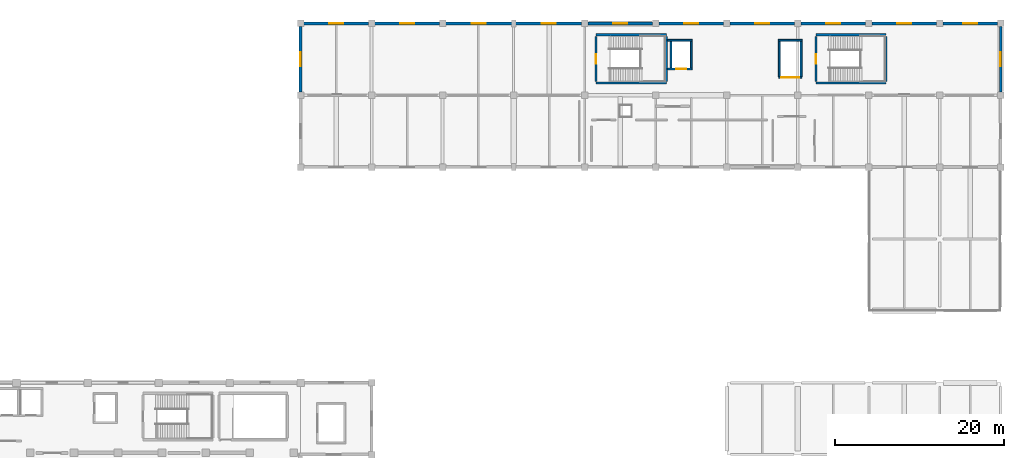
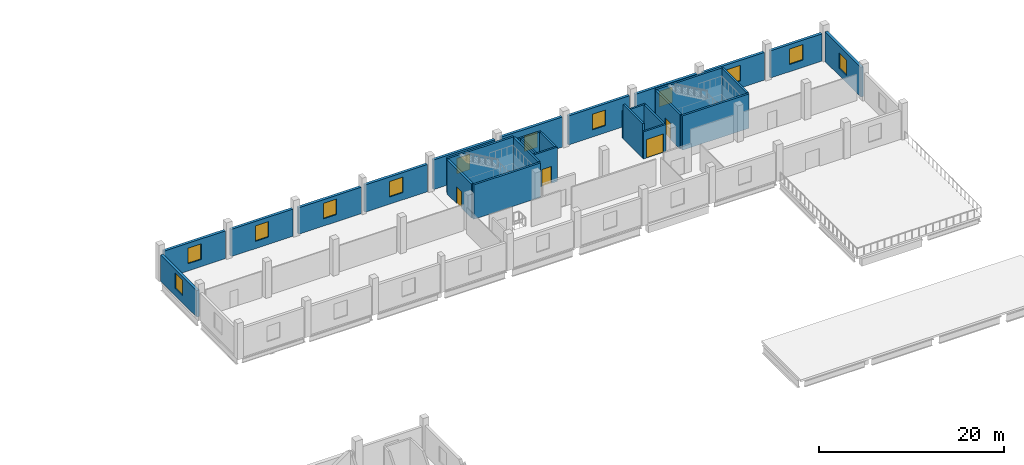
# One storey, part 107 of 117: 28 walls, 12 windows, 4 doors, 16 openings.
"""IFC4 building model written with IfcOpenShell, lengths in metres."""

from ifc_helpers import new_model, si_unit, direction, frame, frame_2d, origin, place, context, subcontext, project, spatial, rectangle, extrude, material, layer, layer_set, type_object, element, fill, save


model = new_model("IFC4")

# Units and contexts
model_context = context("Model", 3, precision=1e-05, world=origin(), true_north=direction((0.0, 1.0)))
body_context = subcontext(model_context, "Body", "Model", "MODEL_VIEW")
ifc_project = project(units=[si_unit("LENGTHUNIT", "METRE"), si_unit("AREAUNIT", "SQUARE_METRE"), si_unit("VOLUMEUNIT", "CUBIC_METRE"), si_unit("PLANEANGLEUNIT", "RADIAN"), si_unit("MASSUNIT", "GRAM", prefix="KILO")], contexts=[model_context])

# Site, building, storey
site_placement = place(None, origin())
site = spatial("IfcSite", under=ifc_project, at=site_placement, CompositionType="ELEMENT")
building_placement = place(site_placement, origin())
building = spatial("IfcBuilding", under=site, at=building_placement, Name="Solvento Point Concert Hall", CompositionType="ELEMENT")
storey_placement = place(building_placement, frame((0.0, 0.0, 5.39990234375)))
storey = spatial("IfcBuildingStorey", under=building, at=storey_placement, Name="L01", CompositionType="ELEMENT", Elevation=5.39990234375)

# Walls
ifc_material_1 = material(Name="Concrete C40/50", Category="concrete")
ifc_layer_1 = layer(ifc_material_1, 0.300048828125)
ifc_layer_set_1 = layer_set([ifc_layer_1], Name="Concrete C40/50")
wall_type_1 = type_object("IfcWallType", Name="CoreShearWall_300", PredefinedType="SHEAR", material=ifc_layer_set_1)
for number, where, z_axis, x_axis, name in (
    (1, (176.449951171875, 128.949951171875, 0.0), (0.0, 0.0, 1.0), (-1.0, 0.0, 0.0), "Stair core shear wall W-SH1 ST-01 L01"),
    (2, (168.14990234375, 134.64990234375, 0.0), (0.0, 0.0, 1.0), (1.0, 0.0, 0.0), "Stair core shear wall W-SH1 ST-01 L01"),
):
    element("IfcWall", number, at=place(storey_placement, frame(where, z_axis=z_axis, x_axis=x_axis)), inside=storey, type_object=wall_type_1, Name=name, PredefinedType="SHEAR", context=body_context, shape_type="SweptSolid", body=[
        extrude(rectangle(XDim=8.300048828125, YDim=0.25, at=frame_2d((4.14990234375, 0.0))), origin(), (0.0, 0.0, 1.0), 4.530029296875),
    ])

# Wall, opening, door
wall_1_placement = place(storey_placement, frame((168.14990234375, 129.14990234375, 0.0), z_axis=(0.0, 0.0, 1.0), x_axis=(0.0, 1.0, 0.0)))
wall_1 = element("IfcWall", 3, at=wall_1_placement, inside=storey, type_object=wall_type_1, Name="Stair core shear wall W-SH1 ST-01 L01", PredefinedType="SHEAR", context=body_context, shape_type="SweptSolid", body=[
    extrude(rectangle(XDim=5.300048828125, YDim=0.25, at=frame_2d((2.64990234375, 0.0))), origin(), (0.0, 0.0, 1.0), 4.530029296875),
])
opening_1_placement = place(wall_1_placement, frame((2.074951171875, 0.0, 0.0)))
opening_1 = element("IfcOpeningElement", 4, at=opening_1_placement, cuts=wall_1, Name="Opening D-ST1", PredefinedType="OPENING", context=body_context, shape_type="SweptSolid", body=[
    extrude(rectangle(XDim=1.14990234375, YDim=2.179931640625, at=frame_2d((0.574951171875, 1.08984375))), frame((0.0, 0.135009765625, 0.0), z_axis=(0.0, -1.0, 0.0), x_axis=(1.0, 0.0, 0.0)), (0.0, 0.0, 1.0), 0.27001953125),
])
ifc_material_2 = material(Name="Hollow Metal Acoustic Fire Door")
door_type_1 = type_object("IfcDoorType", Name="StairFireDoor_1150", OperationType="NOTDEFINED", PredefinedType="DOOR", material=ifc_material_2)
door_1_placement = place(opening_1_placement, origin())
door_1 = element("IfcDoor", 5, at=door_1_placement, inside=storey, type_object=door_type_1, Name="Protected exit stair door ST-01 L01", OperationType="SINGLE_SWING_LEFT", OverallHeight=2.179931640625, OverallWidth=1.14990234375, PredefinedType="DOOR", context=body_context, shape_type="SweptSolid", body=[
    extrude(rectangle(XDim=1.14990234375, YDim=2.179931640625, at=frame_2d((0.574951171875, 1.08984375))), frame((0.0, 0.02490234375, 0.0), z_axis=(0.0, -1.0, 0.0), x_axis=(1.0, 0.0, 0.0)), (0.0, 0.0, 1.0), 0.050048828125),
])
fill(opening_1, door_1)

# Walls
wall_2_placement = place(storey_placement, frame((176.449951171875, 134.449951171875, 0.0), z_axis=(0.0, 0.0, 1.0), x_axis=(0.0, -1.0, 0.0)))
element("IfcWall", 6, at=wall_2_placement, inside=storey, type_object=wall_type_1, Name="Stair core shear wall W-SH1 ST-01 L01", PredefinedType="SHEAR", context=body_context, shape_type="SweptSolid", body=[
    extrude(rectangle(XDim=5.300048828125, YDim=0.25, at=frame_2d((2.64990234375, 0.0))), origin(), (0.0, 0.0, 1.0), 4.530029296875),
])
for number, where, z_axis, x_axis, name in (
    (7, (202.449951171875, 128.949951171875, 0.0), (0.0, 0.0, 1.0), (-1.0, 0.0, 0.0), "Stair core shear wall W-SH1 ST-02 L01"),
    (8, (194.14990234375, 134.64990234375, 0.0), (0.0, 0.0, 1.0), (1.0, 0.0, 0.0), "Stair core shear wall W-SH1 ST-02 L01"),
):
    element("IfcWall", number, at=place(storey_placement, frame(where, z_axis=z_axis, x_axis=x_axis)), inside=storey, type_object=wall_type_1, Name=name, PredefinedType="SHEAR", context=body_context, shape_type="SweptSolid", body=[
        extrude(rectangle(XDim=8.300048828125, YDim=0.25, at=frame_2d((4.14990234375, 0.0))), origin(), (0.0, 0.0, 1.0), 4.530029296875),
    ])

# Wall, opening, door
wall_3_placement = place(storey_placement, frame((194.14990234375, 129.14990234375, 0.0), z_axis=(0.0, 0.0, 1.0), x_axis=(0.0, 1.0, 0.0)))
wall_3 = element("IfcWall", 9, at=wall_3_placement, inside=storey, type_object=wall_type_1, Name="Stair core shear wall W-SH1 ST-02 L01", PredefinedType="SHEAR", context=body_context, shape_type="SweptSolid", body=[
    extrude(rectangle(XDim=5.300048828125, YDim=0.25, at=frame_2d((2.64990234375, 0.0))), origin(), (0.0, 0.0, 1.0), 4.530029296875),
])
opening_2_placement = place(wall_3_placement, frame((2.074951171875, 0.0, 0.0)))
opening_2 = element("IfcOpeningElement", 10, at=opening_2_placement, cuts=wall_3, Name="Opening D-ST1", PredefinedType="OPENING", context=body_context, shape_type="SweptSolid", body=[
    extrude(rectangle(XDim=1.14990234375, YDim=2.179931640625, at=frame_2d((0.574951171875, 1.08984375))), frame((0.0, 0.135009765625, 0.0), z_axis=(0.0, -1.0, 0.0), x_axis=(1.0, 0.0, 0.0)), (0.0, 0.0, 1.0), 0.27001953125),
])
door_2_placement = place(opening_2_placement, origin())
door_2 = element("IfcDoor", 11, at=door_2_placement, inside=storey, type_object=door_type_1, Name="Protected exit stair door ST-02 L01", OperationType="SINGLE_SWING_RIGHT", OverallHeight=2.179931640625, OverallWidth=1.14990234375, PredefinedType="DOOR", context=body_context, shape_type="SweptSolid", body=[
    extrude(rectangle(XDim=1.14990234375, YDim=2.179931640625, at=frame_2d((0.574951171875, 1.08984375))), frame((0.0, 0.02490234375, 0.0), z_axis=(0.0, -1.0, 0.0), x_axis=(1.0, 0.0, 0.0)), (0.0, 0.0, 1.0), 0.050048828125),
])
fill(opening_2, door_2)

# Wall
wall_4_placement = place(storey_placement, frame((202.449951171875, 134.449951171875, 0.0), z_axis=(0.0, 0.0, 1.0), x_axis=(0.0, -1.0, 0.0)))
element("IfcWall", 12, at=wall_4_placement, inside=storey, type_object=wall_type_1, Name="Stair core shear wall W-SH1 ST-02 L01", PredefinedType="SHEAR", context=body_context, shape_type="SweptSolid", body=[
    extrude(rectangle(XDim=5.300048828125, YDim=0.25, at=frame_2d((2.64990234375, 0.0))), origin(), (0.0, 0.0, 1.0), 4.530029296875),
])

# Wall, opening, door
wall_5_placement = place(storey_placement, frame((176.574951171875, 130.60009765625, 0.0), z_axis=(0.0, 0.0, 1.0), x_axis=(1.0, 0.0, 0.0)))
wall_5 = element("IfcWall", 13, at=wall_5_placement, inside=storey, type_object=wall_type_1, Name="Elevator shaft shear wall W-SH1 LF-01 L01", PredefinedType="SHEAR", context=body_context, shape_type="SweptSolid", body=[
    extrude(rectangle(XDim=2.93505859375, YDim=0.219970703125, at=frame_2d((1.467529296875, 0.0))), origin(), (0.0, 0.0, 1.0), 4.530029296875),
])
opening_3_placement = place(wall_5_placement, frame((1.02490234375, 0.0, 0.0)))
opening_3 = element("IfcOpeningElement", 14, at=opening_3_placement, cuts=wall_5, Name="Opening LD-01", PredefinedType="OPENING", context=body_context, shape_type="SweptSolid", body=[
    extrude(rectangle(XDim=1.199951171875, YDim=2.25, at=frame_2d((0.60009765625, 1.125))), frame((0.0, 0.119873046875, 0.0), z_axis=(0.0, -1.0, 0.0), x_axis=(1.0, 0.0, 0.0)), (0.0, 0.0, 1.0), 0.239990234375),
])
ifc_material_3 = material(Name="Hollow Metal Acoustic Fire Door")
door_type_2 = type_object("IfcDoorType", Name="LiftLandingDoor_FF", OperationType="SLIDING_TO_LEFT", PredefinedType="DOOR", material=ifc_material_3)
door_3_placement = place(opening_3_placement, origin())
door_3 = element("IfcDoor", 15, at=door_3_placement, inside=storey, type_object=door_type_2, Name="Elevator landing door LF-01 L01", OperationType="SLIDING_TO_LEFT", OverallHeight=2.25, OverallWidth=1.199951171875, PredefinedType="DOOR", context=body_context, shape_type="SweptSolid", body=[
    extrude(rectangle(XDim=1.199951171875, YDim=2.25, at=frame_2d((0.60009765625, 1.125))), frame((0.0, 0.02490234375, 0.0), z_axis=(0.0, -1.0, 0.0), x_axis=(1.0, 0.0, 0.0)), (0.0, 0.0, 1.0), 0.050048828125),
])
fill(opening_3, door_3)

# Walls
wall_6_placement = place(storey_placement, frame((176.574951171875, 134.0, 0.0), z_axis=(0.0, 0.0, 1.0), x_axis=(1.0, 0.0, 0.0)))
element("IfcWall", 16, at=wall_6_placement, inside=storey, type_object=wall_type_1, Name="Elevator shaft shear wall W-SH1 LF-01 L01", PredefinedType="SHEAR", context=body_context, shape_type="SweptSolid", body=[
    extrude(rectangle(XDim=2.93505859375, YDim=0.219970703125, at=frame_2d((1.467529296875, 0.0))), origin(), (0.0, 0.0, 1.0), 4.530029296875),
])
for number, where, z_axis, x_axis, name in (
    (17, (177.0, 130.7099609375, 0.0), (0.0, 0.0, 1.0), (0.0, 1.0, 0.0), "Elevator shaft shear wall W-SH1 LF-01 L01"),
    (18, (179.39990234375, 130.7099609375, 0.0), (0.0, 0.0, 1.0), (0.0, 1.0, 0.0), "Elevator shaft shear wall W-SH1 LF-01 L01"),
):
    element("IfcWall", number, at=place(storey_placement, frame(where, z_axis=z_axis, x_axis=x_axis)), inside=storey, type_object=wall_type_1, Name=name, PredefinedType="SHEAR", context=body_context, shape_type="SweptSolid", body=[
        extrude(rectangle(XDim=3.179931640625, YDim=0.219970703125, at=frame_2d((1.58984375, 0.0))), origin(), (0.0, 0.0, 1.0), 4.530029296875),
    ])

# Wall, opening, door
wall_7_placement = place(storey_placement, frame((189.68994140625, 129.60009765625, 0.0), z_axis=(0.0, 0.0, 1.0), x_axis=(1.0, 0.0, 0.0)))
wall_7 = element("IfcWall", 19, at=wall_7_placement, inside=storey, type_object=wall_type_1, Name="Elevator shaft shear wall W-SH1 LG-02 L01", PredefinedType="SHEAR", context=body_context, shape_type="SweptSolid", body=[
    extrude(rectangle(XDim=2.820068359375, YDim=0.219970703125, at=frame_2d((1.41015625, 0.0))), origin(), (0.0, 0.0, 1.0), 3.587158203125),
])
opening_4_placement = place(wall_7_placement, frame((0.360107421875, 0.0, 0.0)))
opening_4 = element("IfcOpeningElement", 20, at=opening_4_placement, cuts=wall_7, Name="Opening LD-03", PredefinedType="OPENING", context=body_context, shape_type="SweptSolid", body=[
    extrude(rectangle(XDim=2.10009765625, YDim=2.449951171875, at=frame_2d((1.050048828125, 1.22509765625))), frame((0.0, 0.119873046875, 0.0), z_axis=(0.0, -1.0, 0.0), x_axis=(1.0, 0.0, 0.0)), (0.0, 0.0, 1.0), 0.239990234375),
])
ifc_material_4 = material(Name="Hollow Metal Acoustic Fire Door")
door_type_3 = type_object("IfcDoorType", Name="LiftLandingDoor_Goods", OperationType="DOUBLE_DOOR_SLIDING", PredefinedType="DOOR", material=ifc_material_4)
door_4_placement = place(opening_4_placement, origin())
door_4 = element("IfcDoor", 21, at=door_4_placement, inside=storey, type_object=door_type_3, Name="Elevator landing door LG-02 L01", OperationType="DOUBLE_DOOR_SLIDING", OverallHeight=2.449951171875, OverallWidth=2.10009765625, PredefinedType="DOOR", context=body_context, shape_type="SweptSolid", body=[
    extrude(rectangle(XDim=2.10009765625, YDim=2.449951171875, at=frame_2d((1.050048828125, 1.22509765625))), frame((0.0, 0.02490234375, 0.0), z_axis=(0.0, -1.0, 0.0), x_axis=(1.0, 0.0, 0.0)), (0.0, 0.0, 1.0), 0.050048828125),
])
fill(opening_4, door_4)

# Walls
wall_8_placement = place(storey_placement, frame((189.68994140625, 134.0, 0.0), z_axis=(0.0, 0.0, 1.0), x_axis=(1.0, 0.0, 0.0)))
element("IfcWall", 22, at=wall_8_placement, inside=storey, type_object=wall_type_1, Name="Elevator shaft shear wall W-SH1 LG-02 L01", PredefinedType="SHEAR", context=body_context, shape_type="SweptSolid", body=[
    extrude(rectangle(XDim=2.820068359375, YDim=0.219970703125, at=frame_2d((1.41015625, 0.0))), origin(), (0.0, 0.0, 1.0), 3.587158203125),
])
wall_9_placement = place(storey_placement, frame((189.800048828125, 129.7099609375, 0.0), z_axis=(0.0, 0.0, 1.0), x_axis=(0.0, 1.0, 0.0)))
element("IfcWall", 23, at=wall_9_placement, inside=storey, type_object=wall_type_1, Name="Elevator shaft shear wall W-SH1 LG-02 L01", PredefinedType="SHEAR", context=body_context, shape_type="SweptSolid", body=[
    extrude(rectangle(XDim=4.179931640625, YDim=0.219970703125, at=frame_2d((2.08984375, 0.0))), origin(), (0.0, 0.0, 1.0), 4.530029296875),
])
wall_10_placement = place(storey_placement, frame((192.39990234375, 129.7099609375, 0.0), z_axis=(0.0, 0.0, 1.0), x_axis=(0.0, 1.0, 0.0)))
element("IfcWall", 24, at=wall_10_placement, inside=storey, type_object=wall_type_1, Name="Elevator shaft shear wall W-SH1 LG-02 L01", PredefinedType="SHEAR", context=body_context, shape_type="SweptSolid", body=[
    extrude(rectangle(XDim=4.179931640625, YDim=0.219970703125, at=frame_2d((2.08984375, 0.0))), origin(), (0.0, 0.0, 1.0), 3.587158203125),
])

# Wall, opening, window
ifc_material_5 = material(Name="Concrete C35/45", Category="concrete")
ifc_layer_2 = layer(ifc_material_5, 0.330078125)
ifc_layer_set_2 = layer_set([ifc_layer_2], Name="Concrete C35/45")
wall_type_2 = type_object("IfcWallType", Name="ExtWall_V5_Plinth_330", PredefinedType="SOLIDWALL", material=ifc_layer_set_2)
wall_11_placement = place(storey_placement, frame((133.199951171875, 127.85498046875, 0.0), z_axis=(0.0, 0.0, 1.0), x_axis=(0.0, 1.0, 0.0)))
wall_11 = element("IfcWall", 25, at=wall_11_placement, inside=storey, type_object=wall_type_2, Name="Exterior architectural concrete wall EW-72 L01", PredefinedType="SOLIDWALL", context=body_context, shape_type="SweptSolid", body=[
    extrude(rectangle(XDim=7.7900390625, YDim=0.330078125, at=frame_2d((3.89501953125, 0.0))), origin(), (0.0, 0.0, 1.0), 3.488037109375),
])
opening_5_placement = place(wall_11_placement, frame((3.070068359375, 0.0, 0.949951171875)))
opening_5 = element("IfcOpeningElement", 26, at=opening_5_placement, cuts=wall_11, Name="Opening WN-30", PredefinedType="OPENING", context=body_context, shape_type="SweptSolid", body=[
    extrude(rectangle(XDim=1.64990234375, YDim=2.050048828125, at=frame_2d((0.824951171875, 1.02490234375))), frame((0.0, 0.175048828125, 0.0), z_axis=(0.0, -1.0, 0.0), x_axis=(1.0, 0.0, 0.0)), (0.0, 0.0, 1.0), 0.35009765625),
])
ifc_material_6 = material(Name="Hurricane Laminated Low-E Glass", Category="glass")
window_type = type_object("IfcWindowType", Name="Win_V5_SoloistDress_L01", PartitioningType="SINGLE_PANEL", PredefinedType="WINDOW", material=ifc_material_6)
window_1_placement = place(opening_5_placement, origin())
window_1 = element("IfcWindow", 27, at=window_1_placement, inside=storey, type_object=window_type, Name="Impact acoustic window WN-30", OverallHeight=2.050048828125, OverallWidth=1.64990234375, PartitioningType="SINGLE_PANEL", PredefinedType="WINDOW", context=body_context, shape_type="SweptSolid", body=[
    extrude(rectangle(XDim=1.64990234375, YDim=2.050048828125, at=frame_2d((0.824951171875, 1.02490234375))), frame((0.0, 0.030029296875, 0.0), z_axis=(0.0, -1.0, 0.0), x_axis=(1.0, 0.0, 0.0)), (0.0, 0.0, 1.0), 0.06005859375),
])
fill(opening_5, window_1)

wall_12_placement = place(storey_placement, frame((133.554931640625, 136.0, 0.0), z_axis=(0.0, 0.0, 1.0), x_axis=(1.0, 0.0, 0.0)))
wall_12 = element("IfcWall", 28, at=wall_12_placement, inside=storey, type_object=wall_type_2, Name="Exterior architectural concrete wall EW-72 L01", PredefinedType="SOLIDWALL", context=body_context, shape_type="SweptSolid", body=[
    extrude(rectangle(XDim=7.690185546875, YDim=0.330078125, at=frame_2d((3.84521484375, 0.0))), origin(), (0.0, 0.0, 1.0), 3.655029296875),
])
opening_6_placement = place(wall_12_placement, frame((3.02001953125, 0.0, 0.949951171875)))
opening_6 = element("IfcOpeningElement", 29, at=opening_6_placement, cuts=wall_12, Name="Opening WN-30", PredefinedType="OPENING", context=body_context, shape_type="SweptSolid", body=[
    extrude(rectangle(XDim=1.64990234375, YDim=2.050048828125, at=frame_2d((0.824951171875, 1.02490234375))), frame((0.0, 0.175048828125, 0.0), z_axis=(0.0, -1.0, 0.0), x_axis=(1.0, 0.0, 0.0)), (0.0, 0.0, 1.0), 0.35009765625),
])
window_2_placement = place(opening_6_placement, origin())
window_2 = element("IfcWindow", 30, at=window_2_placement, inside=storey, type_object=window_type, Name="Impact acoustic window WN-30", OverallHeight=2.050048828125, OverallWidth=1.64990234375, PartitioningType="SINGLE_PANEL", PredefinedType="WINDOW", context=body_context, shape_type="SweptSolid", body=[
    extrude(rectangle(XDim=1.64990234375, YDim=2.050048828125, at=frame_2d((0.824951171875, 1.02490234375))), frame((0.0, 0.030029296875, 0.0), z_axis=(0.0, -1.0, 0.0), x_axis=(1.0, 0.0, 0.0)), (0.0, 0.0, 1.0), 0.06005859375),
])
fill(opening_6, window_2)

wall_13_placement = place(storey_placement, frame((141.955078125, 136.0, 0.0), z_axis=(0.0, 0.0, 1.0), x_axis=(1.0, 0.0, 0.0)))
wall_13 = element("IfcWall", 31, at=wall_13_placement, inside=storey, type_object=wall_type_2, Name="Exterior architectural concrete wall EW-72 L01", PredefinedType="SOLIDWALL", context=body_context, shape_type="SweptSolid", body=[
    extrude(rectangle(XDim=7.68994140625, YDim=0.330078125, at=frame_2d((3.844970703125, 0.0))), origin(), (0.0, 0.0, 1.0), 3.587158203125),
])
opening_7_placement = place(wall_13_placement, frame((3.02001953125, 0.0, 0.949951171875)))
opening_7 = element("IfcOpeningElement", 32, at=opening_7_placement, cuts=wall_13, Name="Opening WN-30", PredefinedType="OPENING", context=body_context, shape_type="SweptSolid", body=[
    extrude(rectangle(XDim=1.64990234375, YDim=2.050048828125, at=frame_2d((0.824951171875, 1.02490234375))), frame((0.0, 0.175048828125, 0.0), z_axis=(0.0, -1.0, 0.0), x_axis=(1.0, 0.0, 0.0)), (0.0, 0.0, 1.0), 0.35009765625),
])
window_3_placement = place(opening_7_placement, origin())
window_3 = element("IfcWindow", 33, at=window_3_placement, inside=storey, type_object=window_type, Name="Impact acoustic window WN-30", OverallHeight=2.050048828125, OverallWidth=1.64990234375, PartitioningType="SINGLE_PANEL", PredefinedType="WINDOW", context=body_context, shape_type="SweptSolid", body=[
    extrude(rectangle(XDim=1.64990234375, YDim=2.050048828125, at=frame_2d((0.824951171875, 1.02490234375))), frame((0.0, 0.030029296875, 0.0), z_axis=(0.0, -1.0, 0.0), x_axis=(1.0, 0.0, 0.0)), (0.0, 0.0, 1.0), 0.06005859375),
])
fill(opening_7, window_3)

wall_14_placement = place(storey_placement, frame((150.35498046875, 136.0, 0.0), z_axis=(0.0, 0.0, 1.0), x_axis=(1.0, 0.0, 0.0)))
wall_14 = element("IfcWall", 34, at=wall_14_placement, inside=storey, type_object=wall_type_2, Name="Exterior architectural concrete wall EW-72 L01", PredefinedType="SOLIDWALL", context=body_context, shape_type="SweptSolid", body=[
    extrude(rectangle(XDim=7.81494140625, YDim=0.330078125, at=frame_2d((3.907470703125, 0.0))), origin(), (0.0, 0.0, 1.0), 3.488037109375),
])
opening_8_placement = place(wall_14_placement, frame((3.08251953125, 0.0, 0.949951171875)))
opening_8 = element("IfcOpeningElement", 35, at=opening_8_placement, cuts=wall_14, Name="Opening WN-30", PredefinedType="OPENING", context=body_context, shape_type="SweptSolid", body=[
    extrude(rectangle(XDim=1.64990234375, YDim=2.050048828125, at=frame_2d((0.824951171875, 1.02490234375))), frame((0.0, 0.175048828125, 0.0), z_axis=(0.0, -1.0, 0.0), x_axis=(1.0, 0.0, 0.0)), (0.0, 0.0, 1.0), 0.35009765625),
])
window_4_placement = place(opening_8_placement, origin())
window_4 = element("IfcWindow", 36, at=window_4_placement, inside=storey, type_object=window_type, Name="Impact acoustic window WN-30", OverallHeight=2.050048828125, OverallWidth=1.64990234375, PartitioningType="SINGLE_PANEL", PredefinedType="WINDOW", context=body_context, shape_type="SweptSolid", body=[
    extrude(rectangle(XDim=1.64990234375, YDim=2.050048828125, at=frame_2d((0.824951171875, 1.02490234375))), frame((0.0, 0.030029296875, 0.0), z_axis=(0.0, -1.0, 0.0), x_axis=(1.0, 0.0, 0.0)), (0.0, 0.0, 1.0), 0.06005859375),
])
fill(opening_8, window_4)

wall_15_placement = place(storey_placement, frame((158.6298828125, 136.0, 0.0), z_axis=(0.0, 0.0, 1.0), x_axis=(1.0, 0.0, 0.0)))
wall_15 = element("IfcWall", 37, at=wall_15_placement, inside=storey, type_object=wall_type_2, Name="Exterior architectural concrete wall EW-72 L01", PredefinedType="SOLIDWALL", context=body_context, shape_type="SweptSolid", body=[
    extrude(rectangle(XDim=7.800048828125, YDim=0.330078125, at=frame_2d((3.89990234375, 0.0))), origin(), (0.0, 0.0, 1.0), 3.593994140625),
])
opening_9_placement = place(wall_15_placement, frame((3.074951171875, 0.0, 0.949951171875)))
opening_9 = element("IfcOpeningElement", 38, at=opening_9_placement, cuts=wall_15, Name="Opening WN-30", PredefinedType="OPENING", context=body_context, shape_type="SweptSolid", body=[
    extrude(rectangle(XDim=1.64990234375, YDim=2.050048828125, at=frame_2d((0.824951171875, 1.02490234375))), frame((0.0, 0.175048828125, 0.0), z_axis=(0.0, -1.0, 0.0), x_axis=(1.0, 0.0, 0.0)), (0.0, 0.0, 1.0), 0.35009765625),
])
window_5_placement = place(opening_9_placement, origin())
window_5 = element("IfcWindow", 39, at=window_5_placement, inside=storey, type_object=window_type, Name="Impact acoustic window WN-30", OverallHeight=2.050048828125, OverallWidth=1.64990234375, PartitioningType="SINGLE_PANEL", PredefinedType="WINDOW", context=body_context, shape_type="SweptSolid", body=[
    extrude(rectangle(XDim=1.64990234375, YDim=2.050048828125, at=frame_2d((0.824951171875, 1.02490234375))), frame((0.0, 0.030029296875, 0.0), z_axis=(0.0, -1.0, 0.0), x_axis=(1.0, 0.0, 0.0)), (0.0, 0.0, 1.0), 0.06005859375),
])
fill(opening_9, window_5)

wall_16_placement = place(storey_placement, frame((167.169921875, 136.0, 0.0), z_axis=(0.0, 0.0, 1.0), x_axis=(1.0, 0.0, 0.0)))
wall_16 = element("IfcWall", 40, at=wall_16_placement, inside=storey, type_object=wall_type_2, Name="Exterior architectural concrete wall EW-72 L01", PredefinedType="SOLIDWALL", context=body_context, shape_type="SweptSolid", body=[
    extrude(rectangle(XDim=7.66015625, YDim=0.330078125, at=frame_2d((3.830078125, 0.0))), origin(), (0.0, 0.0, 1.0), 3.906005859375),
])
opening_10_placement = place(wall_16_placement, frame((3.0048828125, 0.0, 0.949951171875)))
opening_10 = element("IfcOpeningElement", 41, at=opening_10_placement, cuts=wall_16, Name="Opening WN-30", PredefinedType="OPENING", context=body_context, shape_type="SweptSolid", body=[
    extrude(rectangle(XDim=1.64990234375, YDim=2.050048828125, at=frame_2d((0.824951171875, 1.02490234375))), frame((0.0, 0.175048828125, 0.0), z_axis=(0.0, -1.0, 0.0), x_axis=(1.0, 0.0, 0.0)), (0.0, 0.0, 1.0), 0.35009765625),
])
window_6_placement = place(opening_10_placement, origin())
window_6 = element("IfcWindow", 42, at=window_6_placement, inside=storey, type_object=window_type, Name="Impact acoustic window WN-30", OverallHeight=2.050048828125, OverallWidth=1.64990234375, PartitioningType="SINGLE_PANEL", PredefinedType="WINDOW", context=body_context, shape_type="SweptSolid", body=[
    extrude(rectangle(XDim=1.64990234375, YDim=2.050048828125, at=frame_2d((0.824951171875, 1.02490234375))), frame((0.0, 0.030029296875, 0.0), z_axis=(0.0, -1.0, 0.0), x_axis=(1.0, 0.0, 0.0)), (0.0, 0.0, 1.0), 0.06005859375),
])
fill(opening_10, window_6)

wall_17_placement = place(storey_placement, frame((175.570068359375, 136.0, 0.0), z_axis=(0.0, 0.0, 1.0), x_axis=(1.0, 0.0, 0.0)))
wall_17 = element("IfcWall", 43, at=wall_17_placement, inside=storey, type_object=wall_type_2, Name="Exterior architectural concrete wall EW-72 L01", PredefinedType="SOLIDWALL", context=body_context, shape_type="SweptSolid", body=[
    extrude(rectangle(XDim=7.659912109375, YDim=0.330078125, at=frame_2d((3.830078125, 0.0))), origin(), (0.0, 0.0, 1.0), 3.965087890625),
])
opening_11_placement = place(wall_17_placement, frame((3.0048828125, 0.0, 0.949951171875)))
opening_11 = element("IfcOpeningElement", 44, at=opening_11_placement, cuts=wall_17, Name="Opening WN-30", PredefinedType="OPENING", context=body_context, shape_type="SweptSolid", body=[
    extrude(rectangle(XDim=1.64990234375, YDim=2.050048828125, at=frame_2d((0.824951171875, 1.02490234375))), frame((0.0, 0.175048828125, 0.0), z_axis=(0.0, -1.0, 0.0), x_axis=(1.0, 0.0, 0.0)), (0.0, 0.0, 1.0), 0.35009765625),
])
window_7_placement = place(opening_11_placement, origin())
window_7 = element("IfcWindow", 45, at=window_7_placement, inside=storey, type_object=window_type, Name="Impact acoustic window WN-30", OverallHeight=2.050048828125, OverallWidth=1.64990234375, PartitioningType="SINGLE_PANEL", PredefinedType="WINDOW", context=body_context, shape_type="SweptSolid", body=[
    extrude(rectangle(XDim=1.64990234375, YDim=2.050048828125, at=frame_2d((0.824951171875, 1.02490234375))), frame((0.0, 0.030029296875, 0.0), z_axis=(0.0, -1.0, 0.0), x_axis=(1.0, 0.0, 0.0)), (0.0, 0.0, 1.0), 0.06005859375),
])
fill(opening_11, window_7)

wall_18_placement = place(storey_placement, frame((183.969970703125, 136.0, 0.0), z_axis=(0.0, 0.0, 1.0), x_axis=(1.0, 0.0, 0.0)))
wall_18 = element("IfcWall", 46, at=wall_18_placement, inside=storey, type_object=wall_type_2, Name="Exterior architectural concrete wall EW-72 L01", PredefinedType="SOLIDWALL", context=body_context, shape_type="SweptSolid", body=[
    extrude(rectangle(XDim=7.659912109375, YDim=0.330078125, at=frame_2d((3.830078125, 0.0))), origin(), (0.0, 0.0, 1.0), 3.821044921875),
])
opening_12_placement = place(wall_18_placement, frame((3.0048828125, 0.0, 0.949951171875)))
opening_12 = element("IfcOpeningElement", 47, at=opening_12_placement, cuts=wall_18, Name="Opening WN-30", PredefinedType="OPENING", context=body_context, shape_type="SweptSolid", body=[
    extrude(rectangle(XDim=1.64990234375, YDim=2.050048828125, at=frame_2d((0.824951171875, 1.02490234375))), frame((0.0, 0.175048828125, 0.0), z_axis=(0.0, -1.0, 0.0), x_axis=(1.0, 0.0, 0.0)), (0.0, 0.0, 1.0), 0.35009765625),
])
window_8_placement = place(opening_12_placement, origin())
window_8 = element("IfcWindow", 48, at=window_8_placement, inside=storey, type_object=window_type, Name="Impact acoustic window WN-30", OverallHeight=2.050048828125, OverallWidth=1.64990234375, PartitioningType="SINGLE_PANEL", PredefinedType="WINDOW", context=body_context, shape_type="SweptSolid", body=[
    extrude(rectangle(XDim=1.64990234375, YDim=2.050048828125, at=frame_2d((0.824951171875, 1.02490234375))), frame((0.0, 0.030029296875, 0.0), z_axis=(0.0, -1.0, 0.0), x_axis=(1.0, 0.0, 0.0)), (0.0, 0.0, 1.0), 0.06005859375),
])
fill(opening_12, window_8)

wall_19_placement = place(storey_placement, frame((192.3701171875, 136.0, 0.0), z_axis=(0.0, 0.0, 1.0), x_axis=(1.0, 0.0, 0.0)))
wall_19 = element("IfcWall", 49, at=wall_19_placement, inside=storey, type_object=wall_type_2, Name="Exterior architectural concrete wall EW-72 L01", PredefinedType="SOLIDWALL", context=body_context, shape_type="SweptSolid", body=[
    extrude(rectangle(XDim=7.659912109375, YDim=0.330078125, at=frame_2d((3.830078125, 0.0))), origin(), (0.0, 0.0, 1.0), 3.744140625),
])
opening_13_placement = place(wall_19_placement, frame((3.0048828125, 0.0, 0.949951171875)))
opening_13 = element("IfcOpeningElement", 50, at=opening_13_placement, cuts=wall_19, Name="Opening WN-30", PredefinedType="OPENING", context=body_context, shape_type="SweptSolid", body=[
    extrude(rectangle(XDim=1.64990234375, YDim=2.050048828125, at=frame_2d((0.824951171875, 1.02490234375))), frame((0.0, 0.175048828125, 0.0), z_axis=(0.0, -1.0, 0.0), x_axis=(1.0, 0.0, 0.0)), (0.0, 0.0, 1.0), 0.35009765625),
])
window_9_placement = place(opening_13_placement, origin())
window_9 = element("IfcWindow", 51, at=window_9_placement, inside=storey, type_object=window_type, Name="Impact acoustic window WN-30", OverallHeight=2.050048828125, OverallWidth=1.64990234375, PartitioningType="SINGLE_PANEL", PredefinedType="WINDOW", context=body_context, shape_type="SweptSolid", body=[
    extrude(rectangle(XDim=1.64990234375, YDim=2.050048828125, at=frame_2d((0.824951171875, 1.02490234375))), frame((0.0, 0.030029296875, 0.0), z_axis=(0.0, -1.0, 0.0), x_axis=(1.0, 0.0, 0.0)), (0.0, 0.0, 1.0), 0.06005859375),
])
fill(opening_13, window_9)

wall_20_placement = place(storey_placement, frame((200.77001953125, 136.0, 0.0), z_axis=(0.0, 0.0, 1.0), x_axis=(1.0, 0.0, 0.0)))
wall_20 = element("IfcWall", 52, at=wall_20_placement, inside=storey, type_object=wall_type_2, Name="Exterior architectural concrete wall EW-72 L01", PredefinedType="SOLIDWALL", context=body_context, shape_type="SweptSolid", body=[
    extrude(rectangle(XDim=7.659912109375, YDim=0.330078125, at=frame_2d((3.830078125, 0.0))), origin(), (0.0, 0.0, 1.0), 3.655029296875),
])
opening_14_placement = place(wall_20_placement, frame((3.0048828125, 0.0, 0.949951171875)))
opening_14 = element("IfcOpeningElement", 53, at=opening_14_placement, cuts=wall_20, Name="Opening WN-30", PredefinedType="OPENING", context=body_context, shape_type="SweptSolid", body=[
    extrude(rectangle(XDim=1.64990234375, YDim=2.050048828125, at=frame_2d((0.824951171875, 1.02490234375))), frame((0.0, 0.175048828125, 0.0), z_axis=(0.0, -1.0, 0.0), x_axis=(1.0, 0.0, 0.0)), (0.0, 0.0, 1.0), 0.35009765625),
])
window_10_placement = place(opening_14_placement, origin())
window_10 = element("IfcWindow", 54, at=window_10_placement, inside=storey, type_object=window_type, Name="Impact acoustic window WN-30", OverallHeight=2.050048828125, OverallWidth=1.64990234375, PartitioningType="SINGLE_PANEL", PredefinedType="WINDOW", context=body_context, shape_type="SweptSolid", body=[
    extrude(rectangle(XDim=1.64990234375, YDim=2.050048828125, at=frame_2d((0.824951171875, 1.02490234375))), frame((0.0, 0.030029296875, 0.0), z_axis=(0.0, -1.0, 0.0), x_axis=(1.0, 0.0, 0.0)), (0.0, 0.0, 1.0), 0.06005859375),
])
fill(opening_14, window_10)

wall_21_placement = place(storey_placement, frame((209.169921875, 136.0, 0.0), z_axis=(0.0, 0.0, 1.0), x_axis=(1.0, 0.0, 0.0)))
wall_21 = element("IfcWall", 55, at=wall_21_placement, inside=storey, type_object=wall_type_2, Name="Exterior architectural concrete wall EW-72 L01", PredefinedType="SOLIDWALL", context=body_context, shape_type="SweptSolid", body=[
    extrude(rectangle(XDim=6.4599609375, YDim=0.330078125, at=frame_2d((3.22998046875, 0.0))), origin(), (0.0, 0.0, 1.0), 3.587158203125),
])
opening_15_placement = place(wall_21_placement, frame((2.405029296875, 0.0, 0.949951171875)))
opening_15 = element("IfcOpeningElement", 56, at=opening_15_placement, cuts=wall_21, Name="Opening WN-30", PredefinedType="OPENING", context=body_context, shape_type="SweptSolid", body=[
    extrude(rectangle(XDim=1.64990234375, YDim=2.050048828125, at=frame_2d((0.824951171875, 1.02490234375))), frame((0.0, 0.175048828125, 0.0), z_axis=(0.0, -1.0, 0.0), x_axis=(1.0, 0.0, 0.0)), (0.0, 0.0, 1.0), 0.35009765625),
])
window_11_placement = place(opening_15_placement, origin())
window_11 = element("IfcWindow", 57, at=window_11_placement, inside=storey, type_object=window_type, Name="Impact acoustic window WN-30", OverallHeight=2.050048828125, OverallWidth=1.64990234375, PartitioningType="SINGLE_PANEL", PredefinedType="WINDOW", context=body_context, shape_type="SweptSolid", body=[
    extrude(rectangle(XDim=1.64990234375, YDim=2.050048828125, at=frame_2d((0.824951171875, 1.02490234375))), frame((0.0, 0.030029296875, 0.0), z_axis=(0.0, -1.0, 0.0), x_axis=(1.0, 0.0, 0.0)), (0.0, 0.0, 1.0), 0.06005859375),
])
fill(opening_15, window_11)

wall_22_placement = place(storey_placement, frame((216.0, 135.6298828125, 0.0), z_axis=(0.0, 0.0, 1.0), x_axis=(0.0, -1.0, 0.0)))
wall_22 = element("IfcWall", 58, at=wall_22_placement, inside=storey, type_object=wall_type_2, Name="Exterior architectural concrete wall EW-72 L01", PredefinedType="SOLIDWALL", context=body_context, shape_type="SweptSolid", body=[
    extrude(rectangle(XDim=7.759765625, YDim=0.330078125, at=frame_2d((3.8798828125, 0.0))), origin(), (0.0, 0.0, 1.0), 3.906005859375),
])
opening_16_placement = place(wall_22_placement, frame((3.054931640625, 0.0, 0.949951171875)))
opening_16 = element("IfcOpeningElement", 59, at=opening_16_placement, cuts=wall_22, Name="Opening WN-30", PredefinedType="OPENING", context=body_context, shape_type="SweptSolid", body=[
    extrude(rectangle(XDim=1.64990234375, YDim=2.050048828125, at=frame_2d((0.824951171875, 1.02490234375))), frame((0.0, 0.175048828125, 0.0), z_axis=(0.0, -1.0, 0.0), x_axis=(1.0, 0.0, 0.0)), (0.0, 0.0, 1.0), 0.35009765625),
])
window_12_placement = place(opening_16_placement, origin())
window_12 = element("IfcWindow", 60, at=window_12_placement, inside=storey, type_object=window_type, Name="Impact acoustic window WN-30", OverallHeight=2.050048828125, OverallWidth=1.64990234375, PartitioningType="SINGLE_PANEL", PredefinedType="WINDOW", context=body_context, shape_type="SweptSolid", body=[
    extrude(rectangle(XDim=1.64990234375, YDim=2.050048828125, at=frame_2d((0.824951171875, 1.02490234375))), frame((0.0, 0.030029296875, 0.0), z_axis=(0.0, -1.0, 0.0), x_axis=(1.0, 0.0, 0.0)), (0.0, 0.0, 1.0), 0.06005859375),
])
fill(opening_16, window_12)

save(model, "model.ifc")
